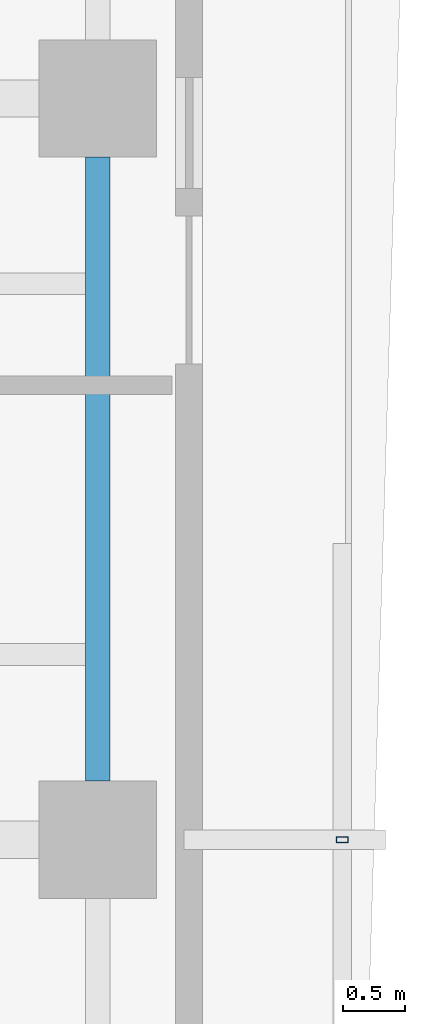
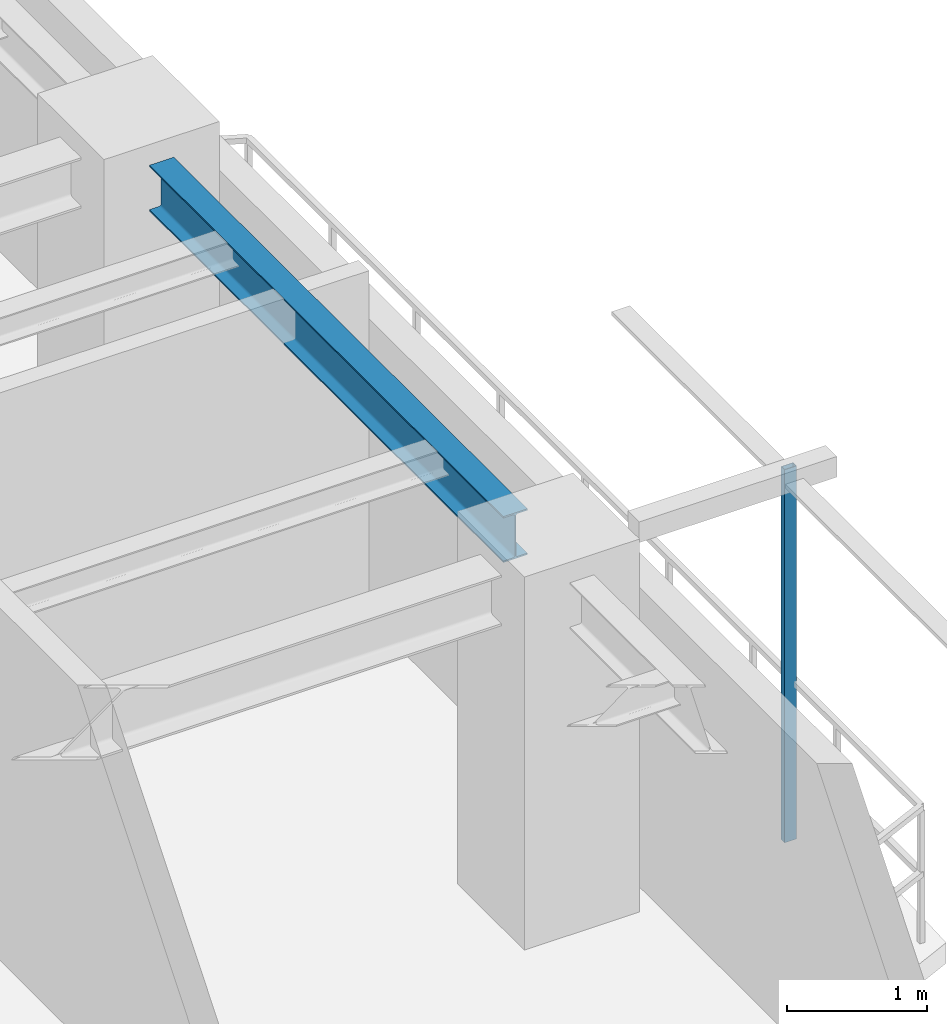
# One storey, part 7 of 17: 1 beam, 1 member.
"""IFC4 building model written with IfcOpenShell, lengths in metres."""

from ifc_helpers import new_model, si_unit, direction, frame, origin, origin_2d, place, context, subcontext, project, spatial, hollow_rectangle, i_section, extrude, source, transform, mapped, material, material_profile, profile_set, type_object, element, save


model = new_model("IFC4")

# Units and contexts
model_context = context("Model", 3, precision=1e-05, world=origin(), true_north=direction((0.0, 1.0)))
body_context = subcontext(model_context, "Body", "Model", "MODEL_VIEW")
ifc_project = project(units=[si_unit("LENGTHUNIT", "METRE"), si_unit("AREAUNIT", "SQUARE_METRE"), si_unit("VOLUMEUNIT", "CUBIC_METRE"), si_unit("PLANEANGLEUNIT", "RADIAN"), si_unit("MASSUNIT", "GRAM", prefix="KILO"), si_unit("THERMODYNAMICTEMPERATUREUNIT", "KELVIN"), si_unit("POWERUNIT", "WATT")], contexts=[model_context])

# Site, building, storey
site_placement = place(None, origin())
site = spatial("IfcSite", under=ifc_project, at=site_placement, CompositionType="ELEMENT")
building_placement = place(site_placement, origin())
building = spatial("IfcBuilding", under=site, at=building_placement, Name="Qiaomeng Ring Towers", CompositionType="ELEMENT")
storey_placement = place(building_placement, frame((0.0, 0.0, 150.25)))
storey = spatial("IfcBuildingStorey", under=building, at=storey_placement, Name="L43", CompositionType="ELEMENT", Elevation=150.25)

# Beam
ifc_material_1 = material(Name="Steel Q355B", Category="steel")
ifc_material_profile_1 = material_profile(ifc_material_1, i_section(OverallWidth=0.199951171875, OverallDepth=0.39990234375, WebThickness=0.008056640625, FlangeThickness=0.012939453125, FilletRadius=0.01611328125, at=origin_2d()), Name="HN 400x200x8x13")
ifc_profile_set_1 = profile_set([ifc_material_profile_1], Name="Steel Q355B")
beam_type = type_object("IfcBeamType", Name="STR-BM-HN400", PredefinedType="SPANDREL", material=ifc_profile_set_1)
shared_shape_1 = source(origin(), body_context, "Body", "SweptSolid", [
    extrude(i_section(OverallWidth=0.199951171875, OverallDepth=0.39990234375, WebThickness=0.008056640625, FlangeThickness=0.012939453125, FilletRadius=0.01611328125, at=origin_2d()), origin(), (0.0, 0.0, 1.0), 5.0517578125),
])
beam_placement = place(storey_placement, frame((36.050048828125, 20.47412109375, 2.8701171875), z_axis=(0.0, 1.0, 0.0), x_axis=(-1.0, 0.0, 0.0)))
element("IfcBeam", 1, at=beam_placement, inside=storey, type_object=beam_type, Name="L43 beam STR-SP-L43-T1-E2-E3", PredefinedType="SPANDREL", context=body_context, shape_type="MappedRepresentation", body=[
    mapped(shared_shape_1, transform((0.0, 0.0, 0.0), x_axis=(1.0, 0.0, 0.0), y_axis=(0.0, 1.0, 0.0), z_axis=(0.0, 0.0, 1.0), scale=1.0)),
])

# Member
ifc_material_2 = material(Name="Stainless steel 316", Category="steel")
ifc_material_profile_2 = material_profile(ifc_material_2, hollow_rectangle(XDim=0.050048828125, YDim=0.10009765625, WallThickness=0.00390625, at=origin_2d()), Name="SS TRELLIS 100x50")
ifc_profile_set_2 = profile_set([ifc_material_profile_2], Name="Stainless steel 316")
member_type = type_object("IfcMemberType", Name="ARC-TR-POST2", PredefinedType="STUD", material=ifc_profile_set_2)
shared_shape_2 = source(origin(), body_context, "Body", "SweptSolid", [
    extrude(hollow_rectangle(XDim=0.050048828125, YDim=0.10009765625, WallThickness=0.00390625, at=origin_2d()), origin(), (0.0, 0.0, 1.0), 3.25),
])
member_placement = place(storey_placement, frame((38.030029296875, 20.0, -0.179931640625), z_axis=(0.0, 0.0, 1.0), x_axis=(0.0, 1.0, 0.0)))
element("IfcMember", 2, at=member_placement, inside=storey, type_object=member_type, Name="L43 Outer Ventilated Trellis Post E", PredefinedType="STUD", context=body_context, shape_type="MappedRepresentation", body=[
    mapped(shared_shape_2, transform((0.0, 0.0, 0.0), x_axis=(1.0, 0.0, 0.0), y_axis=(0.0, 1.0, 0.0), z_axis=(0.0, 0.0, 1.0), scale=1.0)),
])

save(model, "model.ifc")
